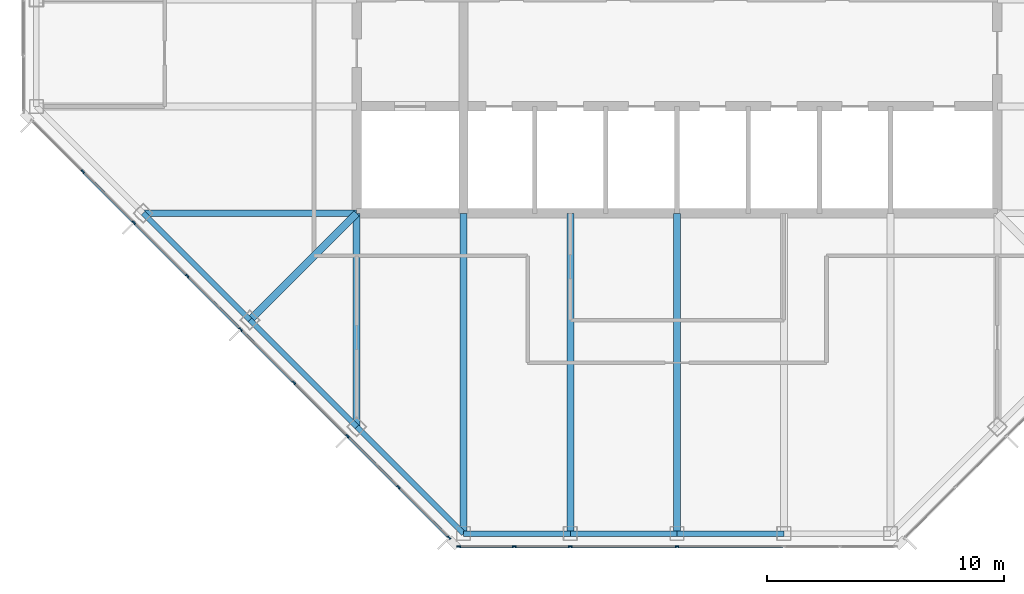
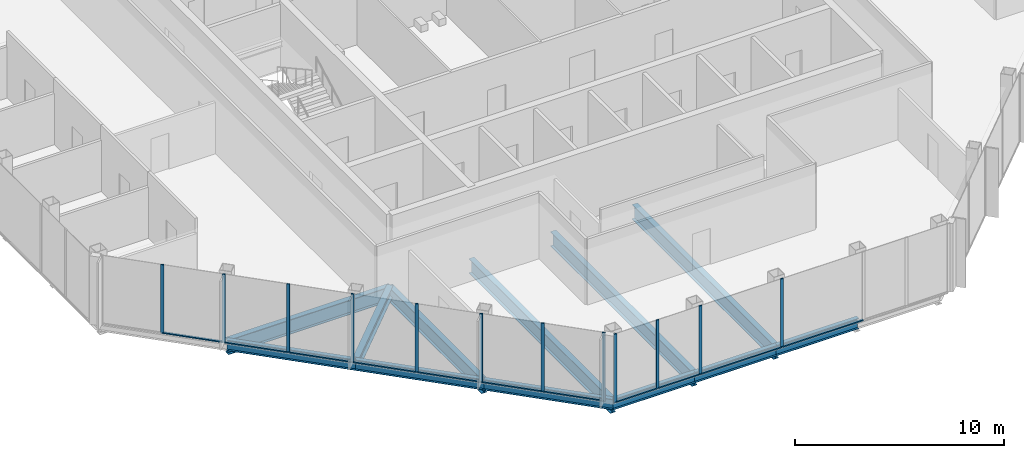
# One storey, part 2 of 14: 23 members, 12 beams, 2 elements without a shape of their own.
"""IFC4 building model written with IfcOpenShell, lengths in metres."""

from ifc_helpers import new_model, si_unit, direction, frame, origin, origin_2d, place, context, subcontext, project, spatial, rectangle, i_section, extrude, material, material_profile, profile_set, type_object, element, aggregate, save


model = new_model("IFC4")

# Units and contexts
model_context = context("Model", 3, precision=1e-05, world=origin(), true_north=direction((0.0, 1.0)))
body_context = subcontext(model_context, "Body", "Model", "MODEL_VIEW")
ifc_project = project(units=[si_unit("LENGTHUNIT", "METRE"), si_unit("AREAUNIT", "SQUARE_METRE"), si_unit("VOLUMEUNIT", "CUBIC_METRE"), si_unit("PLANEANGLEUNIT", "RADIAN"), si_unit("MASSUNIT", "GRAM", prefix="KILO")], contexts=[model_context])

# Site, building, storey
site_placement = place(None, origin())
site = spatial("IfcSite", under=ifc_project, at=site_placement, CompositionType="ELEMENT")
building_placement = place(site_placement, origin())
building = spatial("IfcBuilding", under=site, at=building_placement, Name="Corais Broadcast Tower", CompositionType="ELEMENT")
storey_placement = place(building_placement, frame((0.0, 0.0, 262.60009765625)))
storey = spatial("IfcBuildingStorey", under=building, at=storey_placement, Name="L61", CompositionType="ELEMENT", Elevation=262.60009765625)

# Beams
ifc_material_1 = material(Name="Steel ASTM A572 Grade 50", Category="steel")
ifc_material_profile_1 = material_profile(ifc_material_1, i_section(OverallWidth=0.323974609375, OverallDepth=0.611083984375, WebThickness=0.0126953125, FlangeThickness=0.01904296875, at=origin_2d()), Name="W610x155")
ifc_profile_set_1 = profile_set([ifc_material_profile_1], Name="Steel ASTM A572 Grade 50")
beam_type_1 = type_object("IfcBeamType", Name="Corner diagonal W610x155", PredefinedType="BEAM", material=ifc_profile_set_1)
beam_1_placement = place(storey_placement, frame((9.0, 9.0, -0.465576171875), z_axis=(0.707106781187, 0.707106781187, 0.0), x_axis=(-0.707106781187, 0.707106781187, 0.0)))
element("IfcBeam", 1, at=beam_1_placement, inside=storey, type_object=beam_type_1, Name="B6 C/5 to D/6", PredefinedType="BEAM", context=body_context, shape_type="SweptSolid", body=[
    extrude(i_section(OverallWidth=0.323974609375, OverallDepth=0.611083984375, WebThickness=0.0126953125, FlangeThickness=0.01904296875, at=origin_2d()), origin(), (0.0, 0.0, 1.0), 6.364013671875),
])
ifc_material_2 = material(Name="Steel ASTM A572 Grade 50", Category="steel")
ifc_material_profile_2 = material_profile(ifc_material_2, i_section(OverallWidth=0.2939453125, OverallDepth=0.85107421875, WebThickness=0.01611328125, FlangeThickness=0.02685546875, at=origin_2d()), Name="W840x226")
ifc_profile_set_2 = profile_set([ifc_material_profile_2], Name="Steel ASTM A572 Grade 50")
beam_type_2 = type_object("IfcBeamType", Name="Floor beam W840x226", PredefinedType="BEAM", material=ifc_profile_set_2)
beam_2_placement = place(storey_placement, frame((13.5, 4.5, -0.585693359375), z_axis=(0.0, 1.0, 0.0), x_axis=(-1.0, 0.0, 0.0)))
element("IfcBeam", 2, at=beam_2_placement, inside=storey, type_object=beam_type_2, Name="B1 B/6 to D/6", PredefinedType="BEAM", context=body_context, shape_type="SweptSolid", body=[
    extrude(i_section(OverallWidth=0.2939453125, OverallDepth=0.85107421875, WebThickness=0.01611328125, FlangeThickness=0.02685546875, at=origin_2d()), origin(), (0.0, 0.0, 1.0), 9.0),
])
for number, where, z_axis, x_axis, name in (
    (3, (18.0, 0.0, -0.585693359375), (0.0, 1.0, 0.0), (-1.0, 0.0, 0.0), "B1 A/7 to D/7"),
    (4, (22.5, 0.0, -0.585693359375), (0.0, 1.0, 0.0), (-1.0, 0.0, 0.0), "B1 A/8 to D/8"),
    (5, (27.0, 0.0, -0.585693359375), (0.0, 1.0, 0.0), (-1.0, 0.0, 0.0), "B1 A/9 to D/9"),
):
    element("IfcBeam", number, at=place(storey_placement, frame(where, z_axis=z_axis, x_axis=x_axis)), inside=storey, type_object=beam_type_2, Name=name, PredefinedType="BEAM", context=body_context, shape_type="SweptSolid", body=[
        extrude(i_section(OverallWidth=0.2939453125, OverallDepth=0.85107421875, WebThickness=0.01611328125, FlangeThickness=0.02685546875, at=origin_2d()), origin(), (0.0, 0.0, 1.0), 13.5),
    ])
beam_3_placement = place(storey_placement, frame((4.5, 13.5, -0.585693359375), z_axis=(1.0, 0.0, 0.0), x_axis=(0.0, 1.0, 0.0)))
element("IfcBeam", 6, at=beam_3_placement, inside=storey, type_object=beam_type_2, Name="B1 D/4 to D/6", PredefinedType="BEAM", context=body_context, shape_type="SweptSolid", body=[
    extrude(i_section(OverallWidth=0.2939453125, OverallDepth=0.85107421875, WebThickness=0.01611328125, FlangeThickness=0.02685546875, at=origin_2d()), origin(), (0.0, 0.0, 1.0), 9.0),
])

# Curtain wall, members
ifc_material_3 = material(Name="Aluminium and glass", Category="aluminium")
curtain_wall_type = type_object("IfcCurtainWallType", Name="Unitised fritted curtain wall CW3", PredefinedType="NOTDEFINED", material=ifc_material_3)
curtain_wall_1_placement = place(storey_placement, origin())
curtain_wall_1 = element("IfcCurtainWall", 7, at=curtain_wall_1_placement, inside=storey, type_object=curtain_wall_type, Name="CW3 curtain wall L61 1", PredefinedType="NOTDEFINED")
ifc_material_4 = material(Name="Aluminium 6063-T6", Category="aluminium")
ifc_material_profile_3 = material_profile(ifc_material_4, rectangle(XDim=0.06494140625, YDim=0.159912109375, at=origin_2d()), Name="Mullion CW3 65x160")
ifc_profile_set_3 = profile_set([ifc_material_profile_3], Name="Aluminium 6063-T6")
member_type_1 = type_object("IfcMemberType", Name="Mullion CW3 65x160", PredefinedType="MULLION", material=ifc_profile_set_3)
member_1_placement = place(storey_placement, frame((17.3955078125, -0.17333984375, 0.0), z_axis=(0.0, 0.0, 1.0), x_axis=(-0.707106781187, -0.707106781187, 0.0)))
member_1 = element("IfcMember", 8, at=member_1_placement, type_object=member_type_1, Name="CW3 mullion 1", PredefinedType="MULLION", context=body_context, shape_type="SweptSolid", body=[
    extrude(rectangle(XDim=0.06494140625, YDim=0.159912109375, at=origin_2d()), origin(), (0.0, 0.0, 1.0), 4.0),
])
member_2_placement = place(storey_placement, frame((15.264892578125, 1.957275390625, 0.0), z_axis=(0.0, 0.0, 1.0), x_axis=(-0.707106781187, -0.707106781187, 0.0)))
member_2 = element("IfcMember", 9, at=member_2_placement, type_object=member_type_1, Name="CW3 mullion 2", PredefinedType="MULLION", context=body_context, shape_type="SweptSolid", body=[
    extrude(rectangle(XDim=0.06494140625, YDim=0.159912109375, at=origin_2d()), origin(), (0.0, 0.0, 1.0), 4.0),
])
member_3_placement = place(storey_placement, frame((13.111083984375, 4.111083984375, 0.0), z_axis=(0.0, 0.0, 1.0), x_axis=(-0.707106781187, -0.707106781187, 0.0)))
member_3 = element("IfcMember", 10, at=member_3_placement, type_object=member_type_1, Name="CW3 mullion 3", PredefinedType="MULLION", context=body_context, shape_type="SweptSolid", body=[
    extrude(rectangle(XDim=0.06494140625, YDim=0.159912109375, at=origin_2d()), origin(), (0.0, 0.0, 1.0), 4.0),
])
member_4_placement = place(storey_placement, frame((10.861083984375, 6.361083984375, 0.0), z_axis=(0.0, 0.0, 1.0), x_axis=(-0.707106781187, -0.707106781187, 0.0)))
member_4 = element("IfcMember", 11, at=member_4_placement, type_object=member_type_1, Name="CW3 mullion 4", PredefinedType="MULLION", context=body_context, shape_type="SweptSolid", body=[
    extrude(rectangle(XDim=0.06494140625, YDim=0.159912109375, at=origin_2d()), origin(), (0.0, 0.0, 1.0), 4.0),
])
member_5_placement = place(storey_placement, frame((8.611083984375, 8.611083984375, 0.0), z_axis=(0.0, 0.0, 1.0), x_axis=(-0.707106781187, -0.707106781187, 0.0)))
member_5 = element("IfcMember", 12, at=member_5_placement, type_object=member_type_1, Name="CW3 mullion 5", PredefinedType="MULLION", context=body_context, shape_type="SweptSolid", body=[
    extrude(rectangle(XDim=0.06494140625, YDim=0.159912109375, at=origin_2d()), origin(), (0.0, 0.0, 1.0), 4.0),
])
member_6_placement = place(storey_placement, frame((6.361083984375, 10.861083984375, 0.0), z_axis=(0.0, 0.0, 1.0), x_axis=(-0.707106781187, -0.707106781187, 0.0)))
member_6 = element("IfcMember", 13, at=member_6_placement, type_object=member_type_1, Name="CW3 mullion 6", PredefinedType="MULLION", context=body_context, shape_type="SweptSolid", body=[
    extrude(rectangle(XDim=0.06494140625, YDim=0.159912109375, at=origin_2d()), origin(), (0.0, 0.0, 1.0), 4.0),
])
member_7_placement = place(storey_placement, frame((4.111083984375, 13.111083984375, 0.0), z_axis=(0.0, 0.0, 1.0), x_axis=(-0.707106781187, -0.707106781187, 0.0)))
member_7 = element("IfcMember", 14, at=member_7_placement, type_object=member_type_1, Name="CW3 mullion 7", PredefinedType="MULLION", context=body_context, shape_type="SweptSolid", body=[
    extrude(rectangle(XDim=0.06494140625, YDim=0.159912109375, at=origin_2d()), origin(), (0.0, 0.0, 1.0), 4.0),
])
member_8_placement = place(storey_placement, frame((1.957275390625, 15.264892578125, 0.0), z_axis=(0.0, 0.0, 1.0), x_axis=(-0.707106781187, -0.707106781187, 0.0)))
member_8 = element("IfcMember", 15, at=member_8_placement, type_object=member_type_1, Name="CW3 mullion 8", PredefinedType="MULLION", context=body_context, shape_type="SweptSolid", body=[
    extrude(rectangle(XDim=0.06494140625, YDim=0.159912109375, at=origin_2d()), origin(), (0.0, 0.0, 1.0), 4.0),
])

curtain_wall_2_placement = place(storey_placement, origin())
curtain_wall_2 = element("IfcCurtainWall", 16, at=curtain_wall_2_placement, inside=storey, type_object=curtain_wall_type, Name="CW3 curtain wall L61 8", PredefinedType="NOTDEFINED")
member_9_placement = place(storey_placement, frame((27.0, -0.550048828125, 0.0), z_axis=(0.0, 0.0, 1.0), x_axis=(0.0, -1.0, 0.0)))
member_9 = element("IfcMember", 17, at=member_9_placement, type_object=member_type_1, Name="CW3 mullion 4", PredefinedType="MULLION", context=body_context, shape_type="SweptSolid", body=[
    extrude(rectangle(XDim=0.06494140625, YDim=0.159912109375, at=origin_2d()), origin(), (0.0, 0.0, 1.0), 4.0),
])
member_10_placement = place(storey_placement, frame((22.5, -0.550048828125, 0.0), z_axis=(0.0, 0.0, 1.0), x_axis=(0.0, -1.0, 0.0)))
member_10 = element("IfcMember", 18, at=member_10_placement, type_object=member_type_1, Name="CW3 mullion 5", PredefinedType="MULLION", context=body_context, shape_type="SweptSolid", body=[
    extrude(rectangle(XDim=0.06494140625, YDim=0.159912109375, at=origin_2d()), origin(), (0.0, 0.0, 1.0), 4.0),
])
member_11_placement = place(storey_placement, frame((20.135986328125, -0.550048828125, 0.0), z_axis=(0.0, 0.0, 1.0), x_axis=(0.0, -1.0, 0.0)))
member_11 = element("IfcMember", 19, at=member_11_placement, type_object=member_type_1, Name="CW3 mullion 6", PredefinedType="MULLION", context=body_context, shape_type="SweptSolid", body=[
    extrude(rectangle(XDim=0.06494140625, YDim=0.159912109375, at=origin_2d()), origin(), (0.0, 0.0, 1.0), 4.0),
])
member_12_placement = place(storey_placement, frame((17.8046875, -0.550048828125, 0.0), z_axis=(0.0, 0.0, 1.0), x_axis=(0.0, -1.0, 0.0)))
member_12 = element("IfcMember", 20, at=member_12_placement, type_object=member_type_1, Name="CW3 mullion 7", PredefinedType="MULLION", context=body_context, shape_type="SweptSolid", body=[
    extrude(rectangle(XDim=0.06494140625, YDim=0.159912109375, at=origin_2d()), origin(), (0.0, 0.0, 1.0), 4.0),
])

# Beams
ifc_material_5 = material(Name="Steel ASTM A572 Grade 50", Category="steel")
ifc_material_profile_4 = material_profile(ifc_material_5, i_section(OverallWidth=0.22998046875, OverallDepth=0.616943359375, WebThickness=0.01318359375, FlangeThickness=0.022216796875, at=origin_2d()), Name="W610x140")
ifc_profile_set_4 = profile_set([ifc_material_profile_4], Name="Steel ASTM A572 Grade 50")
beam_type_3 = type_object("IfcBeamType", Name="Spandrel W610x140", PredefinedType="BEAM", material=ifc_profile_set_4)
beam_4_placement = place(storey_placement, frame((13.5, 4.5, -0.468505859375), z_axis=(0.707106781187, -0.707106781187, 0.0), x_axis=(0.707106781187, 0.707106781187, 0.0)))
element("IfcBeam", 21, at=beam_4_placement, inside=storey, type_object=beam_type_3, Name="SB3 B/6 to A/7", PredefinedType="BEAM", context=body_context, shape_type="SweptSolid", body=[
    extrude(i_section(OverallWidth=0.22998046875, OverallDepth=0.616943359375, WebThickness=0.01318359375, FlangeThickness=0.022216796875, at=origin_2d()), origin(), (0.0, 0.0, 1.0), 6.364013671875),
])
for number, where, z_axis, x_axis, name in (
    (22, (18.0, 0.0, -0.468505859375), (1.0, 0.0, 0.0), (0.0, 1.0, 0.0), "SB3 A/7 to A/8"),
    (23, (22.5, 0.0, -0.468505859375), (1.0, 0.0, 0.0), (0.0, 1.0, 0.0), "SB3 A/8 to A/9"),
    (24, (27.0, 0.0, -0.468505859375), (1.0, 0.0, 0.0), (0.0, 1.0, 0.0), "SB3 A/9 to A/10"),
):
    element("IfcBeam", number, at=place(storey_placement, frame(where, z_axis=z_axis, x_axis=x_axis)), inside=storey, type_object=beam_type_3, Name=name, PredefinedType="BEAM", context=body_context, shape_type="SweptSolid", body=[
        extrude(i_section(OverallWidth=0.22998046875, OverallDepth=0.616943359375, WebThickness=0.01318359375, FlangeThickness=0.022216796875, at=origin_2d()), origin(), (0.0, 0.0, 1.0), 4.5),
    ])
for number, where, z_axis, x_axis, name in (
    (25, (4.5, 13.5, -0.468505859375), (0.707106781187, -0.707106781187, 0.0), (0.707106781187, 0.707106781187, 0.0), "SB3 D/4 to C/5"),
    (26, (9.0, 9.0, -0.468505859375), (0.707106781187, -0.707106781187, 0.0), (0.707106781187, 0.707106781187, 0.0), "SB3 C/5 to B/6"),
):
    element("IfcBeam", number, at=place(storey_placement, frame(where, z_axis=z_axis, x_axis=x_axis)), inside=storey, type_object=beam_type_3, Name=name, PredefinedType="BEAM", context=body_context, shape_type="SweptSolid", body=[
        extrude(i_section(OverallWidth=0.22998046875, OverallDepth=0.616943359375, WebThickness=0.01318359375, FlangeThickness=0.022216796875, at=origin_2d()), origin(), (0.0, 0.0, 1.0), 6.364013671875),
    ])

# Member
ifc_material_6 = material(Name="Aluminium 6063-T6", Category="aluminium")
ifc_material_profile_5 = material_profile(ifc_material_6, rectangle(XDim=0.1201171875, YDim=0.06494140625, at=origin_2d()), Name="Transom CW3 65x120")
ifc_profile_set_5 = profile_set([ifc_material_profile_5], Name="Aluminium 6063-T6")
member_type_2 = type_object("IfcMemberType", Name="Transom CW3 65x120", PredefinedType="USERDEFINED", material=ifc_profile_set_5)
member_13_placement = place(storey_placement, frame((17.37255859375, -0.150390625, 0.032470703125), z_axis=(-0.707106781187, 0.707106781187, 0.0), x_axis=(-0.707106781187, -0.707106781187, 0.0)))
member_13 = element("IfcMember", 27, at=member_13_placement, type_object=member_type_2, Name="CW3 transom 1.1", ObjectType="TRANSOM", PredefinedType="USERDEFINED", context=body_context, shape_type="SweptSolid", body=[
    extrude(rectangle(XDim=0.1201171875, YDim=0.06494140625, at=origin_2d()), origin(), (0.0, 0.0, 1.0), 2.9482421875),
])

member_14_placement = place(storey_placement, frame((15.241943359375, 1.980224609375, 0.032470703125), z_axis=(-0.707106781187, 0.707106781187, 0.0), x_axis=(-0.707106781187, -0.707106781187, 0.0)))
member_14 = element("IfcMember", 28, at=member_14_placement, type_object=member_type_2, Name="CW3 transom 2.1", ObjectType="TRANSOM", PredefinedType="USERDEFINED", context=body_context, shape_type="SweptSolid", body=[
    extrude(rectangle(XDim=0.1201171875, YDim=0.06494140625, at=origin_2d()), origin(), (0.0, 0.0, 1.0), 2.98095703125),
])

member_15_placement = place(storey_placement, frame((13.088134765625, 4.134033203125, 0.032470703125), z_axis=(-0.707106781187, 0.707106781187, 0.0), x_axis=(-0.707106781187, -0.707106781187, 0.0)))
member_15 = element("IfcMember", 29, at=member_15_placement, type_object=member_type_2, Name="CW3 transom 3.1", ObjectType="TRANSOM", PredefinedType="USERDEFINED", context=body_context, shape_type="SweptSolid", body=[
    extrude(rectangle(XDim=0.1201171875, YDim=0.06494140625, at=origin_2d()), origin(), (0.0, 0.0, 1.0), 3.1171875),
])

member_16_placement = place(storey_placement, frame((10.838134765625, 6.384033203125, 0.032470703125), z_axis=(-0.707106781187, 0.707106781187, 0.0), x_axis=(-0.707106781187, -0.707106781187, 0.0)))
member_16 = element("IfcMember", 30, at=member_16_placement, type_object=member_type_2, Name="CW3 transom 4.1", ObjectType="TRANSOM", PredefinedType="USERDEFINED", context=body_context, shape_type="SweptSolid", body=[
    extrude(rectangle(XDim=0.1201171875, YDim=0.06494140625, at=origin_2d()), origin(), (0.0, 0.0, 1.0), 3.1171875),
])

member_17_placement = place(storey_placement, frame((8.588134765625, 8.634033203125, 0.032470703125), z_axis=(-0.707106781187, 0.707106781187, 0.0), x_axis=(-0.707106781187, -0.707106781187, 0.0)))
member_17 = element("IfcMember", 31, at=member_17_placement, type_object=member_type_2, Name="CW3 transom 5.1", ObjectType="TRANSOM", PredefinedType="USERDEFINED", context=body_context, shape_type="SweptSolid", body=[
    extrude(rectangle(XDim=0.1201171875, YDim=0.06494140625, at=origin_2d()), origin(), (0.0, 0.0, 1.0), 3.1171875),
])

member_18_placement = place(storey_placement, frame((6.338134765625, 10.884033203125, 0.032470703125), z_axis=(-0.707106781187, 0.707106781187, 0.0), x_axis=(-0.707106781187, -0.707106781187, 0.0)))
member_18 = element("IfcMember", 32, at=member_18_placement, type_object=member_type_2, Name="CW3 transom 6.1", ObjectType="TRANSOM", PredefinedType="USERDEFINED", context=body_context, shape_type="SweptSolid", body=[
    extrude(rectangle(XDim=0.1201171875, YDim=0.06494140625, at=origin_2d()), origin(), (0.0, 0.0, 1.0), 3.1171875),
])

member_19_placement = place(storey_placement, frame((4.088134765625, 13.134033203125, 0.032470703125), z_axis=(-0.707065828661, 0.70714773134, 0.0), x_axis=(-0.70714773134, -0.707065828661, 0.0)))
member_19 = element("IfcMember", 33, at=member_19_placement, type_object=member_type_2, Name="CW3 transom 7.1", ObjectType="TRANSOM", PredefinedType="USERDEFINED", context=body_context, shape_type="SweptSolid", body=[
    extrude(rectangle(XDim=0.1201171875, YDim=0.06494140625, at=origin_2d()), origin(), (0.0, 0.0, 1.0), 2.98095703125),
])

aggregate(curtain_wall_1, [member_1, member_2, member_3, member_4, member_5, member_6, member_7, member_8, member_13, member_14, member_15, member_16, member_17, member_18, member_19])

member_20_placement = place(storey_placement, frame((31.467529296875, -0.550048828125, 0.032470703125), z_axis=(-1.0, 0.0, 0.0), x_axis=(0.0, -1.0, 0.0)))
member_20 = element("IfcMember", 34, at=member_20_placement, type_object=member_type_2, Name="CW3 transom 3.1", ObjectType="TRANSOM", PredefinedType="USERDEFINED", context=body_context, shape_type="SweptSolid", body=[
    extrude(rectangle(XDim=0.1201171875, YDim=0.06494140625, at=origin_2d()), origin(), (0.0, 0.0, 1.0), 4.43505859375),
])

member_21_placement = place(storey_placement, frame((26.967529296875, -0.550048828125, 0.032470703125), z_axis=(-1.0, 0.0, 0.0), x_axis=(0.0, -1.0, 0.0)))
member_21 = element("IfcMember", 35, at=member_21_placement, type_object=member_type_2, Name="CW3 transom 4.1", ObjectType="TRANSOM", PredefinedType="USERDEFINED", context=body_context, shape_type="SweptSolid", body=[
    extrude(rectangle(XDim=0.1201171875, YDim=0.06494140625, at=origin_2d()), origin(), (0.0, 0.0, 1.0), 4.43505859375),
])

member_22_placement = place(storey_placement, frame((22.467529296875, -0.550048828125, 0.032470703125), z_axis=(-1.0, 0.0, 0.0), x_axis=(0.0, -1.0, 0.0)))
member_22 = element("IfcMember", 36, at=member_22_placement, type_object=member_type_2, Name="CW3 transom 5.1", ObjectType="TRANSOM", PredefinedType="USERDEFINED", context=body_context, shape_type="SweptSolid", body=[
    extrude(rectangle(XDim=0.1201171875, YDim=0.06494140625, at=origin_2d()), origin(), (0.0, 0.0, 1.0), 2.298828125),
])

member_23_placement = place(storey_placement, frame((20.103515625, -0.550048828125, 0.032470703125), z_axis=(-1.0, 0.0, 0.0), x_axis=(0.0, -1.0, 0.0)))
member_23 = element("IfcMember", 37, at=member_23_placement, type_object=member_type_2, Name="CW3 transom 6.1", ObjectType="TRANSOM", PredefinedType="USERDEFINED", context=body_context, shape_type="SweptSolid", body=[
    extrude(rectangle(XDim=0.1201171875, YDim=0.06494140625, at=origin_2d()), origin(), (0.0, 0.0, 1.0), 2.266357421875),
])

aggregate(curtain_wall_2, [member_9, member_10, member_11, member_12, member_20, member_21, member_22, member_23])

save(model, "model.ifc")
